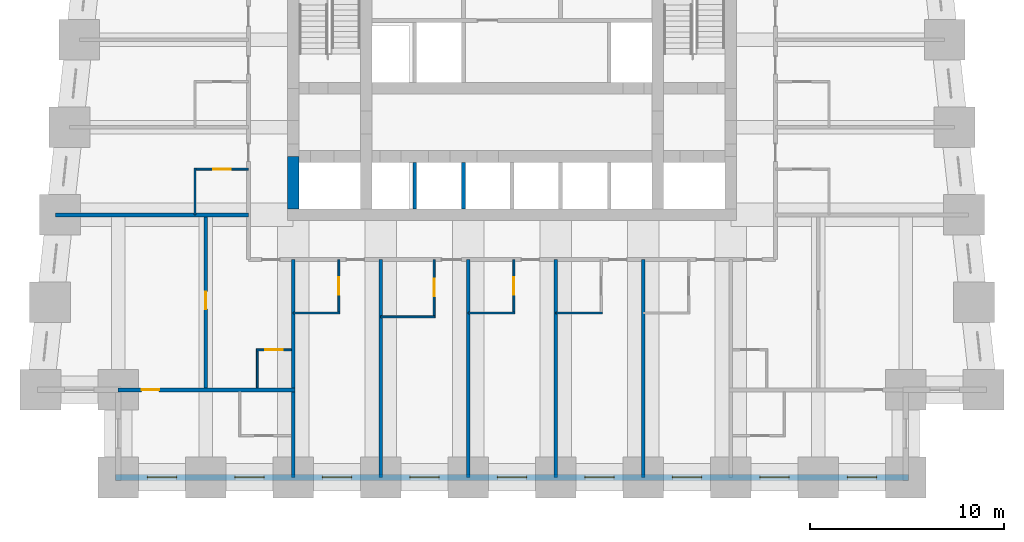
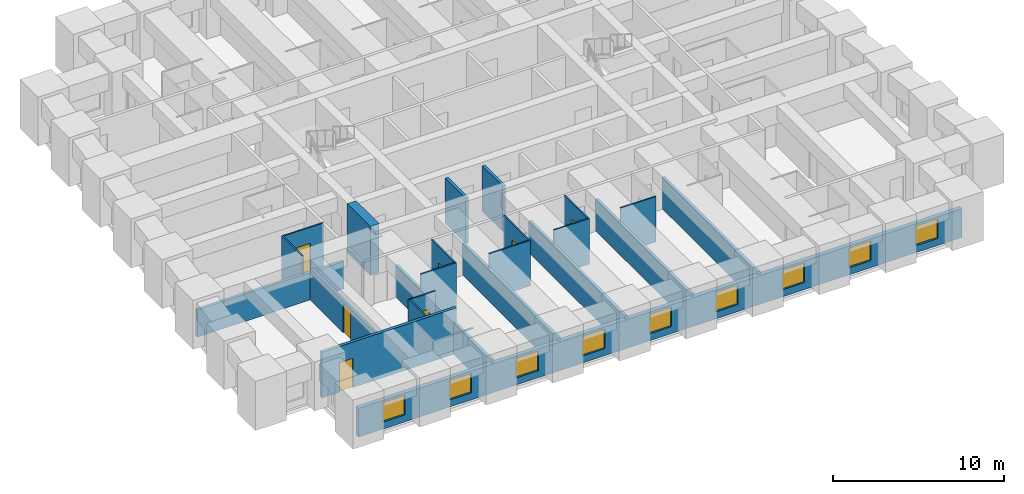
# One storey, part 2 of 8: 23 walls, 9 windows, 7 doors, 16 openings.
"""IFC4 building model written with IfcOpenShell, lengths in metres."""

from ifc_helpers import new_model, si_unit, direction, frame, frame_2d, origin, place, context, subcontext, project, spatial, rectangle, extrude, material, layer, layer_set, type_object, element, fill, save


model = new_model("IFC4")

# Units and contexts
model_context = context("Model", 3, precision=1e-05, world=origin(), true_north=direction((0.0, 1.0)))
body_context = subcontext(model_context, "Body", "Model", "MODEL_VIEW")
ifc_project = project(units=[si_unit("LENGTHUNIT", "METRE"), si_unit("AREAUNIT", "SQUARE_METRE"), si_unit("VOLUMEUNIT", "CUBIC_METRE"), si_unit("PLANEANGLEUNIT", "RADIAN"), si_unit("MASSUNIT", "GRAM", prefix="KILO")], contexts=[model_context])

# Site, building, storey
site_placement = place(None, origin())
site = spatial("IfcSite", under=ifc_project, at=site_placement, CompositionType="ELEMENT")
building_placement = place(site_placement, origin())
building = spatial("IfcBuilding", under=site, at=building_placement, Name="Kilele Tower Hotel", CompositionType="ELEMENT")
storey_placement = place(building_placement, frame((0.0, 0.0, 36.699951171875)))
storey = spatial("IfcBuildingStorey", under=building, at=storey_placement, Name="L07", CompositionType="ELEMENT", Elevation=36.699951171875)

# Wall
ifc_material_1 = material(Name="Moisture-resistant board")
ifc_layer_1 = layer(ifc_material_1, 0.10009765625)
ifc_layer_set_1 = layer_set([ifc_layer_1], Name="Moisture-resistant board")
wall_type_1 = type_object("IfcWallType", Name="Bathroom partition 100", PredefinedType="PLUMBINGWALL", material=ifc_layer_set_1)
wall_1_placement = place(storey_placement, frame((13.5, 8.449951171875, 0.0), z_axis=(0.0, 0.0, 1.0), x_axis=(1.0, 0.0, 0.0)))
element("IfcWall", 1, at=wall_1_placement, inside=storey, type_object=wall_type_1, Name="Bathroom partition 100 L07", PredefinedType="PLUMBINGWALL", context=body_context, shape_type="SweptSolid", body=[
    extrude(rectangle(XDim=2.39990234375, YDim=0.10009765625, at=frame_2d((1.199951171875, 0.0))), origin(), (0.0, 0.0, 1.0), 3.25),
])

# Wall, opening, door
wall_2_placement = place(storey_placement, frame((15.85009765625, 11.199951171875, 0.0), z_axis=(0.0, 0.0, 1.0), x_axis=(0.0, -1.0, 0.0)))
wall_2 = element("IfcWall", 2, at=wall_2_placement, inside=storey, type_object=wall_type_1, Name="Bathroom partition 100 L07", PredefinedType="PLUMBINGWALL", context=body_context, shape_type="SweptSolid", body=[
    extrude(rectangle(XDim=2.800048828125, YDim=0.10009765625, at=frame_2d((1.39990234375, 0.0))), origin(), (0.0, 0.0, 1.0), 3.25),
])
opening_1_placement = place(wall_2_placement, frame((0.89990234375, 0.0, 0.0)))
opening_1 = element("IfcOpeningElement", 3, at=opening_1_placement, cuts=wall_2, Name="Opening D2A", PredefinedType="OPENING", context=body_context, shape_type="SweptSolid", body=[
    extrude(rectangle(XDim=0.89990234375, YDim=2.10009765625, at=frame_2d((0.449951171875, 1.050048828125))), frame((0.0, 0.06005859375, 0.0), z_axis=(0.0, -1.0, 0.0), x_axis=(1.0, 0.0, 0.0)), (0.0, 0.0, 1.0), 0.1201171875),
])
ifc_material_2 = material(Name="Timber door leaf in hardwood frame", Category="wood")
door_type_1 = type_object("IfcDoorType", Name="Bathroom door 900", OperationType="SINGLE_SWING_LEFT", PredefinedType="DOOR", material=ifc_material_2)
door_1_placement = place(opening_1_placement, origin())
door_1 = element("IfcDoor", 4, at=door_1_placement, inside=storey, type_object=door_type_1, Name="Bathroom door 0701B", OperationType="SINGLE_SWING_LEFT", OverallHeight=2.10009765625, OverallWidth=0.89990234375, PredefinedType="DOOR", context=body_context, shape_type="SweptSolid", body=[
    extrude(rectangle(XDim=0.89990234375, YDim=2.10009765625, at=frame_2d((0.449951171875, 1.050048828125))), frame((0.0, 0.02490234375, 0.0), z_axis=(0.0, -1.0, 0.0), x_axis=(1.0, 0.0, 0.0)), (0.0, 0.0, 1.0), 0.050048828125),
])
fill(opening_1, door_1)

# Wall
wall_3_placement = place(storey_placement, frame((18.0, 8.25, 0.0), z_axis=(0.0, 0.0, 1.0), x_axis=(1.0, 0.0, 0.0)))
element("IfcWall", 5, at=wall_3_placement, inside=storey, type_object=wall_type_1, Name="Bathroom partition 100 L07", PredefinedType="PLUMBINGWALL", context=body_context, shape_type="SweptSolid", body=[
    extrude(rectangle(XDim=2.800048828125, YDim=0.10009765625, at=frame_2d((1.39990234375, 0.0))), origin(), (0.0, 0.0, 1.0), 3.25),
])

# Wall, opening, door
wall_4_placement = place(storey_placement, frame((20.75, 11.199951171875, 0.0), z_axis=(0.0, 0.0, 1.0), x_axis=(0.0, -1.0, 0.0)))
wall_4 = element("IfcWall", 6, at=wall_4_placement, inside=storey, type_object=wall_type_1, Name="Bathroom partition 100 L07", PredefinedType="PLUMBINGWALL", context=body_context, shape_type="SweptSolid", body=[
    extrude(rectangle(XDim=3.0, YDim=0.10009765625, at=frame_2d((1.5, 0.0))), origin(), (0.0, 0.0, 1.0), 3.25),
])
opening_2_placement = place(wall_4_placement, frame((1.0, 0.0, 0.0)))
opening_2 = element("IfcOpeningElement", 7, at=opening_2_placement, cuts=wall_4, Name="Opening D2A", PredefinedType="OPENING", context=body_context, shape_type="SweptSolid", body=[
    extrude(rectangle(XDim=0.89990234375, YDim=2.10009765625, at=frame_2d((0.449951171875, 1.050048828125))), frame((0.0, 0.06005859375, 0.0), z_axis=(0.0, -1.0, 0.0), x_axis=(1.0, 0.0, 0.0)), (0.0, 0.0, 1.0), 0.1201171875),
])
door_2_placement = place(opening_2_placement, origin())
door_2 = element("IfcDoor", 8, at=door_2_placement, inside=storey, type_object=door_type_1, Name="Bathroom door 0702B", OperationType="SINGLE_SWING_LEFT", OverallHeight=2.10009765625, OverallWidth=0.89990234375, PredefinedType="DOOR", context=body_context, shape_type="SweptSolid", body=[
    extrude(rectangle(XDim=0.89990234375, YDim=2.10009765625, at=frame_2d((0.449951171875, 1.050048828125))), frame((0.0, 0.02490234375, 0.0), z_axis=(0.0, -1.0, 0.0), x_axis=(1.0, 0.0, 0.0)), (0.0, 0.0, 1.0), 0.050048828125),
])
fill(opening_2, door_2)

# Wall
wall_5_placement = place(storey_placement, frame((22.5, 8.449951171875, 0.0), z_axis=(0.0, 0.0, 1.0), x_axis=(1.0, 0.0, 0.0)))
element("IfcWall", 9, at=wall_5_placement, inside=storey, type_object=wall_type_1, Name="Bathroom partition 100 L07", PredefinedType="PLUMBINGWALL", context=body_context, shape_type="SweptSolid", body=[
    extrude(rectangle(XDim=2.39990234375, YDim=0.10009765625, at=frame_2d((1.199951171875, 0.0))), origin(), (0.0, 0.0, 1.0), 3.25),
])

# Wall, opening, door
wall_6_placement = place(storey_placement, frame((24.85009765625, 11.199951171875, 0.0), z_axis=(0.0, 0.0, 1.0), x_axis=(0.0, -1.0, 0.0)))
wall_6 = element("IfcWall", 10, at=wall_6_placement, inside=storey, type_object=wall_type_1, Name="Bathroom partition 100 L07", PredefinedType="PLUMBINGWALL", context=body_context, shape_type="SweptSolid", body=[
    extrude(rectangle(XDim=2.800048828125, YDim=0.10009765625, at=frame_2d((1.39990234375, 0.0))), origin(), (0.0, 0.0, 1.0), 3.25),
])
opening_3_placement = place(wall_6_placement, frame((0.89990234375, 0.0, 0.0)))
opening_3 = element("IfcOpeningElement", 11, at=opening_3_placement, cuts=wall_6, Name="Opening D2A", PredefinedType="OPENING", context=body_context, shape_type="SweptSolid", body=[
    extrude(rectangle(XDim=0.89990234375, YDim=2.10009765625, at=frame_2d((0.449951171875, 1.050048828125))), frame((0.0, 0.06005859375, 0.0), z_axis=(0.0, -1.0, 0.0), x_axis=(1.0, 0.0, 0.0)), (0.0, 0.0, 1.0), 0.1201171875),
])
door_3_placement = place(opening_3_placement, origin())
door_3 = element("IfcDoor", 12, at=door_3_placement, inside=storey, type_object=door_type_1, Name="Bathroom door 0703B", OperationType="SINGLE_SWING_LEFT", OverallHeight=2.10009765625, OverallWidth=0.89990234375, PredefinedType="DOOR", context=body_context, shape_type="SweptSolid", body=[
    extrude(rectangle(XDim=0.89990234375, YDim=2.10009765625, at=frame_2d((0.449951171875, 1.050048828125))), frame((0.0, 0.02490234375, 0.0), z_axis=(0.0, -1.0, 0.0), x_axis=(1.0, 0.0, 0.0)), (0.0, 0.0, 1.0), 0.050048828125),
])
fill(opening_3, door_3)

# Walls
for number, where, z_axis, x_axis, name in (
    (13, (27.0, 8.449951171875, 0.0), (0.0, 0.0, 1.0), (1.0, 0.0, 0.0), "Bathroom partition 100 L07"),
    (14, (8.449951171875, 13.5, 0.0), (0.0, 0.0, 1.0), (0.0, 1.0, 0.0), "Bathroom partition 100 L07"),
):
    element("IfcWall", number, at=place(storey_placement, frame(where, z_axis=z_axis, x_axis=x_axis)), inside=storey, type_object=wall_type_1, Name=name, PredefinedType="PLUMBINGWALL", context=body_context, shape_type="SweptSolid", body=[
        extrude(rectangle(XDim=2.39990234375, YDim=0.10009765625, at=frame_2d((1.199951171875, 0.0))), origin(), (0.0, 0.0, 1.0), 3.25),
    ])

# Wall, opening, door
wall_7_placement = place(storey_placement, frame((11.199951171875, 15.85009765625, 0.0), z_axis=(0.0, 0.0, 1.0), x_axis=(-1.0, 0.0, 0.0)))
wall_7 = element("IfcWall", 15, at=wall_7_placement, inside=storey, type_object=wall_type_1, Name="Bathroom partition 100 L07", PredefinedType="PLUMBINGWALL", context=body_context, shape_type="SweptSolid", body=[
    extrude(rectangle(XDim=2.800048828125, YDim=0.10009765625, at=frame_2d((1.39990234375, 0.0))), origin(), (0.0, 0.0, 1.0), 3.25),
])
opening_4_placement = place(wall_7_placement, frame((1.7998046875, 0.0, 0.0), z_axis=(0.0, 0.0, 1.0), x_axis=(-1.0, 0.0, 0.0)))
opening_4 = element("IfcOpeningElement", 16, at=opening_4_placement, cuts=wall_7, Name="Opening D2A", PredefinedType="OPENING", context=body_context, shape_type="SweptSolid", body=[
    extrude(rectangle(XDim=0.89990234375, YDim=2.10009765625, at=frame_2d((0.449951171875, 1.050048828125))), frame((0.0, 0.06005859375, 0.0), z_axis=(0.0, -1.0, 0.0), x_axis=(1.0, 0.0, 0.0)), (0.0, 0.0, 1.0), 0.1201171875),
])
door_4_placement = place(opening_4_placement, origin())
door_4 = element("IfcDoor", 17, at=door_4_placement, inside=storey, type_object=door_type_1, Name="Bathroom door 0714B", OperationType="SINGLE_SWING_RIGHT", OverallHeight=2.10009765625, OverallWidth=0.89990234375, PredefinedType="DOOR", context=body_context, shape_type="SweptSolid", body=[
    extrude(rectangle(XDim=0.89990234375, YDim=2.10009765625, at=frame_2d((0.449951171875, 1.050048828125))), frame((0.0, 0.02490234375, 0.0), z_axis=(0.0, -1.0, 0.0), x_axis=(1.0, 0.0, 0.0)), (0.0, 0.0, 1.0), 0.050048828125),
])
fill(opening_4, door_4)

# Wall
wall_8_placement = place(storey_placement, frame((11.64990234375, 4.60009765625, 0.0), z_axis=(0.0, 0.0, 1.0), x_axis=(0.0, 1.0, 0.0)))
element("IfcWall", 18, at=wall_8_placement, inside=storey, type_object=wall_type_1, Name="Bathroom partition 100 L07", PredefinedType="PLUMBINGWALL", context=body_context, shape_type="SweptSolid", body=[
    extrude(rectangle(XDim=2.0, YDim=0.10009765625, at=frame_2d((1.0, 0.0))), origin(), (0.0, 0.0, 1.0), 3.25),
])

# Wall, opening, door
wall_9_placement = place(storey_placement, frame((13.39990234375, 6.550048828125, 0.0), z_axis=(0.0, 0.0, 1.0), x_axis=(-1.0, 0.0, 0.0)))
wall_9 = element("IfcWall", 19, at=wall_9_placement, inside=storey, type_object=wall_type_1, Name="Bathroom partition 100 L07", PredefinedType="PLUMBINGWALL", context=body_context, shape_type="SweptSolid", body=[
    extrude(rectangle(XDim=1.7998046875, YDim=0.10009765625, at=frame_2d((0.89990234375, 0.0))), origin(), (0.0, 0.0, 1.0), 3.25),
])
opening_5_placement = place(wall_9_placement, frame((1.349853515625, 0.0, 0.0), z_axis=(0.0, 0.0, 1.0), x_axis=(-1.0, 0.0, 0.0)))
opening_5 = element("IfcOpeningElement", 20, at=opening_5_placement, cuts=wall_9, Name="Opening D2A", PredefinedType="OPENING", context=body_context, shape_type="SweptSolid", body=[
    extrude(rectangle(XDim=0.89990234375, YDim=2.10009765625, at=frame_2d((0.449951171875, 1.050048828125))), frame((0.0, 0.06005859375, 0.0), z_axis=(0.0, -1.0, 0.0), x_axis=(1.0, 0.0, 0.0)), (0.0, 0.0, 1.0), 0.1201171875),
])
door_5_placement = place(opening_5_placement, origin())
door_5 = element("IfcDoor", 21, at=door_5_placement, inside=storey, type_object=door_type_1, Name="Bathroom door 0717P", OperationType="SINGLE_SWING_RIGHT", OverallHeight=2.10009765625, OverallWidth=0.89990234375, PredefinedType="DOOR", context=body_context, shape_type="SweptSolid", body=[
    extrude(rectangle(XDim=0.89990234375, YDim=2.10009765625, at=frame_2d((0.449951171875, 1.050048828125))), frame((0.0, 0.02490234375, 0.0), z_axis=(0.0, -1.0, 0.0), x_axis=(1.0, 0.0, 0.0)), (0.0, 0.0, 1.0), 0.050048828125),
])
fill(opening_5, door_5)

# Wall
ifc_material_3 = material(Name="Concrete C60/75", Category="concrete")
ifc_layer_2 = layer(ifc_material_3, 0.60009765625)
ifc_layer_set_2 = layer_set([ifc_layer_2], Name="Concrete C60/75")
wall_type_2 = type_object("IfcWallType", Name="Core wall 600 C60/75", PredefinedType="SHEAR", material=ifc_layer_set_2)
wall_10_placement = place(storey_placement, frame((13.5, 16.5, 0.0), z_axis=(0.0, 0.0, 1.0), x_axis=(0.0, -1.0, 0.0)))
element("IfcWall", 22, at=wall_10_placement, inside=storey, type_object=wall_type_2, Name="Core wall W3 L07", PredefinedType="SHEAR", context=body_context, shape_type="SweptSolid", body=[
    extrude(rectangle(XDim=2.699951171875, YDim=0.60009765625, at=frame_2d((1.35009765625, 0.0))), origin(), (0.0, 0.0, 1.0), 3.5),
])

# Wall, opening, door
ifc_material_4 = material(Name="Blockwork, plastered both sides", Category="masonry")
ifc_layer_3 = layer(ifc_material_4, 0.199951171875)
ifc_layer_set_3 = layer_set([ifc_layer_3], Name="Blockwork, plastered both sides")
wall_type_3 = type_object("IfcWallType", Name="Partition wall 200", PredefinedType="PARTITIONING", material=ifc_layer_set_3)
wall_11_placement = place(storey_placement, frame((9.0, 4.60009765625, 0.0), z_axis=(0.0, 0.0, 1.0), x_axis=(0.0, 1.0, 0.0)))
wall_11 = element("IfcWall", 23, at=wall_11_placement, inside=storey, type_object=wall_type_3, Name="Partition wall 200 L07", PredefinedType="PARTITIONING", context=body_context, shape_type="SweptSolid", body=[
    extrude(rectangle(XDim=8.7998046875, YDim=0.199951171875, at=frame_2d((4.39990234375, 0.0))), origin(), (0.0, 0.0, 1.0), 2.25),
])
opening_6_placement = place(wall_11_placement, frame((4.050048828125, 0.0, 0.0)))
opening_6 = element("IfcOpeningElement", 24, at=opening_6_placement, cuts=wall_11, Name="Opening D3", PredefinedType="OPENING", context=body_context, shape_type="SweptSolid", body=[
    extrude(rectangle(XDim=0.89990234375, YDim=2.10009765625, at=frame_2d((0.449951171875, 1.050048828125))), frame((0.0, 0.10986328125, 0.0), z_axis=(0.0, -1.0, 0.0), x_axis=(1.0, 0.0, 0.0)), (0.0, 0.0, 1.0), 0.219970703125),
])
ifc_material_5 = material(Name="Timber door leaf in hardwood frame", Category="wood")
door_type_2 = type_object("IfcDoorType", Name="Suite internal door 900", OperationType="SINGLE_SWING_LEFT", PredefinedType="DOOR", material=ifc_material_5)
door_6_placement = place(opening_6_placement, origin())
door_6 = element("IfcDoor", 25, at=door_6_placement, inside=storey, type_object=door_type_2, Name="Suite door 0718", OperationType="SINGLE_SWING_RIGHT", OverallHeight=2.10009765625, OverallWidth=0.89990234375, PredefinedType="DOOR", context=body_context, shape_type="SweptSolid", body=[
    extrude(rectangle(XDim=0.89990234375, YDim=2.10009765625, at=frame_2d((0.449951171875, 1.050048828125))), frame((0.0, 0.02490234375, 0.0), z_axis=(0.0, -1.0, 0.0), x_axis=(1.0, 0.0, 0.0)), (0.0, 0.0, 1.0), 0.050048828125),
])
fill(opening_6, door_6)

# Walls
ifc_material_6 = material(Name="Blockwork, plastered both sides", Category="masonry")
ifc_layer_4 = layer(ifc_material_6, 0.199951171875)
ifc_layer_set_4 = layer_set([ifc_layer_4], Name="Blockwork, plastered both sides")
wall_type_4 = type_object("IfcWallType", Name="Party wall 200", PredefinedType="PARTITIONING", material=ifc_layer_set_4)
for number, where, z_axis, x_axis, name in (
    (26, (18.0, 11.199951171875, 0.0), (0.0, 0.0, 1.0), (0.0, -1.0, 0.0), "Party wall 200 L07"),
    (27, (22.5, 11.199951171875, 0.0), (0.0, 0.0, 1.0), (0.0, -1.0, 0.0), "Party wall 200 L07"),
    (28, (27.0, 11.199951171875, 0.0), (0.0, 0.0, 1.0), (0.0, -1.0, 0.0), "Party wall 200 L07"),
    (29, (31.5, 11.199951171875, 0.0), (0.0, 0.0, 1.0), (0.0, -1.0, 0.0), "Party wall 200 L07"),
):
    element("IfcWall", number, at=place(storey_placement, frame(where, z_axis=z_axis, x_axis=x_axis)), inside=storey, type_object=wall_type_4, Name=name, PredefinedType="PARTITIONING", context=body_context, shape_type="SweptSolid", body=[
        extrude(rectangle(XDim=11.199951171875, YDim=0.199951171875, at=frame_2d((5.60009765625, 0.0))), origin(), (0.0, 0.0, 1.0), 2.25),
    ])
wall_12_placement = place(storey_placement, frame((11.199951171875, 13.5, 0.0), z_axis=(0.0, 0.0, 1.0), x_axis=(-1.0, 0.0, 0.0)))
element("IfcWall", 30, at=wall_12_placement, inside=storey, type_object=wall_type_4, Name="Party wall 200 L07", PredefinedType="PARTITIONING", context=body_context, shape_type="SweptSolid", body=[
    extrude(rectangle(XDim=9.921142578125, YDim=0.199951171875, at=frame_2d((4.96044921875, 0.0))), origin(), (0.0, 0.0, 1.0), 1.949951171875),
])
wall_13_placement = place(storey_placement, frame((13.5, 11.199951171875, 0.0), z_axis=(0.0, 0.0, 1.0), x_axis=(0.0, -1.0, 0.0)))
element("IfcWall", 31, at=wall_13_placement, inside=storey, type_object=wall_type_4, Name="Party wall 200 L07", PredefinedType="PARTITIONING", context=body_context, shape_type="SweptSolid", body=[
    extrude(rectangle(XDim=11.199951171875, YDim=0.199951171875, at=frame_2d((5.60009765625, 0.0))), origin(), (0.0, 0.0, 1.0), 2.25),
])

# Wall, opening, door
wall_14_placement = place(storey_placement, frame((13.60009765625, 4.5, 0.0), z_axis=(0.0, 0.0, 1.0), x_axis=(-1.0, 0.0, 0.0)))
wall_14 = element("IfcWall", 32, at=wall_14_placement, inside=storey, type_object=wall_type_4, Name="Party wall 200 L07", PredefinedType="PARTITIONING", context=body_context, shape_type="SweptSolid", body=[
    extrude(rectangle(XDim=9.10009765625, YDim=0.199951171875, at=frame_2d((4.550048828125, 0.0))), origin(), (0.0, 0.0, 1.0), 3.25),
])
opening_7_placement = place(wall_14_placement, frame((7.0, 0.0, 0.0)))
opening_7 = element("IfcOpeningElement", 33, at=opening_7_placement, cuts=wall_14, Name="Opening D3", PredefinedType="OPENING", context=body_context, shape_type="SweptSolid", body=[
    extrude(rectangle(XDim=0.89990234375, YDim=2.10009765625, at=frame_2d((0.449951171875, 1.050048828125))), frame((0.0, 0.10986328125, 0.0), z_axis=(0.0, -1.0, 0.0), x_axis=(1.0, 0.0, 0.0)), (0.0, 0.0, 1.0), 0.219970703125),
])
door_7_placement = place(opening_7_placement, origin())
door_7 = element("IfcDoor", 34, at=door_7_placement, inside=storey, type_object=door_type_2, Name="Suite door 0719", OperationType="SINGLE_SWING_RIGHT", OverallHeight=2.10009765625, OverallWidth=0.89990234375, PredefinedType="DOOR", context=body_context, shape_type="SweptSolid", body=[
    extrude(rectangle(XDim=0.89990234375, YDim=2.10009765625, at=frame_2d((0.449951171875, 1.050048828125))), frame((0.0, 0.02490234375, 0.0), z_axis=(0.0, -1.0, 0.0), x_axis=(1.0, 0.0, 0.0)), (0.0, 0.0, 1.0), 0.050048828125),
])
fill(opening_7, door_7)

# Wall, openings, windows
ifc_material_7 = material(Name="Concrete C40/50 precast", Category="concrete")
ifc_layer_5 = layer(ifc_material_7, 0.260009765625, Name="Precast backing", Category="LoadBearing")
ifc_material_8 = material(Name="Reconstituted stone finish", Category="masonry")
ifc_layer_6 = layer(ifc_material_8, 0.0400390625, Name="Face mix", Category="Finish")
ifc_layer_set_5 = layer_set([ifc_layer_5, ifc_layer_6], Name="Precast concrete C40/50, reconstituted stone finish")
wall_type_5 = type_object("IfcWallType", Name="Precast stone facade wall 300", PredefinedType="STANDARD", material=ifc_layer_set_5)
wall_15_placement = place(storey_placement, frame((4.35009765625, 0.0, 0.0), z_axis=(0.0, 0.0, 1.0), x_axis=(1.0, 0.0, 0.0)))
wall_15 = element("IfcWall", 35, at=wall_15_placement, inside=storey, type_object=wall_type_5, Name="Facade wall L07 edge 3", PredefinedType="STANDARD", context=body_context, shape_type="SweptSolid", body=[
    extrude(rectangle(XDim=40.7998046875, YDim=0.300048828125, at=frame_2d((20.39990234375, 0.0))), origin(), (0.0, 0.0, 1.0), 2.050048828125),
])
opening_8_placement = place(wall_15_placement, frame((1.64990234375, 0.0, 0.5)))
opening_8 = element("IfcOpeningElement", 36, at=opening_8_placement, cuts=wall_15, Name="Opening W1", PredefinedType="OPENING", context=body_context, shape_type="SweptSolid", body=[
    extrude(rectangle(XDim=1.5, YDim=1.39990234375, at=frame_2d((0.75, 0.699951171875))), frame((0.0, 0.159912109375, 0.0), z_axis=(0.0, -1.0, 0.0), x_axis=(1.0, 0.0, 0.0)), (0.0, 0.0, 1.0), 0.320068359375),
])
opening_9_placement = place(wall_15_placement, frame((6.14990234375, 0.0, 0.5)))
opening_9 = element("IfcOpeningElement", 37, at=opening_9_placement, cuts=wall_15, Name="Opening W1", PredefinedType="OPENING", context=body_context, shape_type="SweptSolid", body=[
    extrude(rectangle(XDim=1.5, YDim=1.39990234375, at=frame_2d((0.75, 0.699951171875))), frame((0.0, 0.159912109375, 0.0), z_axis=(0.0, -1.0, 0.0), x_axis=(1.0, 0.0, 0.0)), (0.0, 0.0, 1.0), 0.320068359375),
])
opening_10_placement = place(wall_15_placement, frame((10.64990234375, 0.0, 0.5)))
opening_10 = element("IfcOpeningElement", 38, at=opening_10_placement, cuts=wall_15, Name="Opening W1", PredefinedType="OPENING", context=body_context, shape_type="SweptSolid", body=[
    extrude(rectangle(XDim=1.5, YDim=1.39990234375, at=frame_2d((0.75, 0.699951171875))), frame((0.0, 0.159912109375, 0.0), z_axis=(0.0, -1.0, 0.0), x_axis=(1.0, 0.0, 0.0)), (0.0, 0.0, 1.0), 0.320068359375),
])
opening_11_placement = place(wall_15_placement, frame((15.14990234375, 0.0, 0.5)))
opening_11 = element("IfcOpeningElement", 39, at=opening_11_placement, cuts=wall_15, Name="Opening W1", PredefinedType="OPENING", context=body_context, shape_type="SweptSolid", body=[
    extrude(rectangle(XDim=1.5, YDim=1.39990234375, at=frame_2d((0.75, 0.699951171875))), frame((0.0, 0.159912109375, 0.0), z_axis=(0.0, -1.0, 0.0), x_axis=(1.0, 0.0, 0.0)), (0.0, 0.0, 1.0), 0.320068359375),
])
opening_12_placement = place(wall_15_placement, frame((19.64990234375, 0.0, 0.5)))
opening_12 = element("IfcOpeningElement", 40, at=opening_12_placement, cuts=wall_15, Name="Opening W1", PredefinedType="OPENING", context=body_context, shape_type="SweptSolid", body=[
    extrude(rectangle(XDim=1.5, YDim=1.39990234375, at=frame_2d((0.75, 0.699951171875))), frame((0.0, 0.159912109375, 0.0), z_axis=(0.0, -1.0, 0.0), x_axis=(1.0, 0.0, 0.0)), (0.0, 0.0, 1.0), 0.320068359375),
])
opening_13_placement = place(wall_15_placement, frame((24.14990234375, 0.0, 0.5)))
opening_13 = element("IfcOpeningElement", 41, at=opening_13_placement, cuts=wall_15, Name="Opening W1", PredefinedType="OPENING", context=body_context, shape_type="SweptSolid", body=[
    extrude(rectangle(XDim=1.5, YDim=1.39990234375, at=frame_2d((0.75, 0.699951171875))), frame((0.0, 0.159912109375, 0.0), z_axis=(0.0, -1.0, 0.0), x_axis=(1.0, 0.0, 0.0)), (0.0, 0.0, 1.0), 0.320068359375),
])
opening_14_placement = place(wall_15_placement, frame((28.64990234375, 0.0, 0.5)))
opening_14 = element("IfcOpeningElement", 42, at=opening_14_placement, cuts=wall_15, Name="Opening W1", PredefinedType="OPENING", context=body_context, shape_type="SweptSolid", body=[
    extrude(rectangle(XDim=1.5, YDim=1.39990234375, at=frame_2d((0.75, 0.699951171875))), frame((0.0, 0.159912109375, 0.0), z_axis=(0.0, -1.0, 0.0), x_axis=(1.0, 0.0, 0.0)), (0.0, 0.0, 1.0), 0.320068359375),
])
opening_15_placement = place(wall_15_placement, frame((33.14990234375, 0.0, 0.5)))
opening_15 = element("IfcOpeningElement", 43, at=opening_15_placement, cuts=wall_15, Name="Opening W1", PredefinedType="OPENING", context=body_context, shape_type="SweptSolid", body=[
    extrude(rectangle(XDim=1.5, YDim=1.39990234375, at=frame_2d((0.75, 0.699951171875))), frame((0.0, 0.159912109375, 0.0), z_axis=(0.0, -1.0, 0.0), x_axis=(1.0, 0.0, 0.0)), (0.0, 0.0, 1.0), 0.320068359375),
])
opening_16_placement = place(wall_15_placement, frame((37.64990234375, 0.0, 0.5)))
opening_16 = element("IfcOpeningElement", 44, at=opening_16_placement, cuts=wall_15, Name="Opening W1", PredefinedType="OPENING", context=body_context, shape_type="SweptSolid", body=[
    extrude(rectangle(XDim=1.5, YDim=1.39990234375, at=frame_2d((0.75, 0.699951171875))), frame((0.0, 0.159912109375, 0.0), z_axis=(0.0, -1.0, 0.0), x_axis=(1.0, 0.0, 0.0)), (0.0, 0.0, 1.0), 0.320068359375),
])
ifc_material_9 = material(Name="Aluminium frame, clear double glazing", Category="aluminium")
window_type = type_object("IfcWindowType", Name="Window W1 1500 x 1400", PartitioningType="SINGLE_PANEL", PredefinedType="WINDOW", material=ifc_material_9)
window_1_placement = place(opening_8_placement, origin())
window_1 = element("IfcWindow", 45, at=window_1_placement, inside=storey, type_object=window_type, Name="Window L07", OverallHeight=1.39990234375, OverallWidth=1.5, PartitioningType="SINGLE_PANEL", PredefinedType="WINDOW", context=body_context, shape_type="SweptSolid", body=[
    extrude(rectangle(XDim=1.5, YDim=1.39990234375, at=frame_2d((0.75, 0.699951171875))), frame((0.0, 0.030029296875, 0.0), z_axis=(0.0, -1.0, 0.0), x_axis=(1.0, 0.0, 0.0)), (0.0, 0.0, 1.0), 0.06005859375),
])
fill(opening_8, window_1)
window_2_placement = place(opening_9_placement, origin())
window_2 = element("IfcWindow", 46, at=window_2_placement, inside=storey, type_object=window_type, Name="Window L07", OverallHeight=1.39990234375, OverallWidth=1.5, PartitioningType="SINGLE_PANEL", PredefinedType="WINDOW", context=body_context, shape_type="SweptSolid", body=[
    extrude(rectangle(XDim=1.5, YDim=1.39990234375, at=frame_2d((0.75, 0.699951171875))), frame((0.0, 0.030029296875, 0.0), z_axis=(0.0, -1.0, 0.0), x_axis=(1.0, 0.0, 0.0)), (0.0, 0.0, 1.0), 0.06005859375),
])
fill(opening_9, window_2)
window_3_placement = place(opening_10_placement, origin())
window_3 = element("IfcWindow", 47, at=window_3_placement, inside=storey, type_object=window_type, Name="Window L07", OverallHeight=1.39990234375, OverallWidth=1.5, PartitioningType="SINGLE_PANEL", PredefinedType="WINDOW", context=body_context, shape_type="SweptSolid", body=[
    extrude(rectangle(XDim=1.5, YDim=1.39990234375, at=frame_2d((0.75, 0.699951171875))), frame((0.0, 0.030029296875, 0.0), z_axis=(0.0, -1.0, 0.0), x_axis=(1.0, 0.0, 0.0)), (0.0, 0.0, 1.0), 0.06005859375),
])
fill(opening_10, window_3)
window_4_placement = place(opening_11_placement, origin())
window_4 = element("IfcWindow", 48, at=window_4_placement, inside=storey, type_object=window_type, Name="Window L07", OverallHeight=1.39990234375, OverallWidth=1.5, PartitioningType="SINGLE_PANEL", PredefinedType="WINDOW", context=body_context, shape_type="SweptSolid", body=[
    extrude(rectangle(XDim=1.5, YDim=1.39990234375, at=frame_2d((0.75, 0.699951171875))), frame((0.0, 0.030029296875, 0.0), z_axis=(0.0, -1.0, 0.0), x_axis=(1.0, 0.0, 0.0)), (0.0, 0.0, 1.0), 0.06005859375),
])
fill(opening_11, window_4)
window_5_placement = place(opening_12_placement, origin())
window_5 = element("IfcWindow", 49, at=window_5_placement, inside=storey, type_object=window_type, Name="Window L07", OverallHeight=1.39990234375, OverallWidth=1.5, PartitioningType="SINGLE_PANEL", PredefinedType="WINDOW", context=body_context, shape_type="SweptSolid", body=[
    extrude(rectangle(XDim=1.5, YDim=1.39990234375, at=frame_2d((0.75, 0.699951171875))), frame((0.0, 0.030029296875, 0.0), z_axis=(0.0, -1.0, 0.0), x_axis=(1.0, 0.0, 0.0)), (0.0, 0.0, 1.0), 0.06005859375),
])
fill(opening_12, window_5)
window_6_placement = place(opening_13_placement, origin())
window_6 = element("IfcWindow", 50, at=window_6_placement, inside=storey, type_object=window_type, Name="Window L07", OverallHeight=1.39990234375, OverallWidth=1.5, PartitioningType="SINGLE_PANEL", PredefinedType="WINDOW", context=body_context, shape_type="SweptSolid", body=[
    extrude(rectangle(XDim=1.5, YDim=1.39990234375, at=frame_2d((0.75, 0.699951171875))), frame((0.0, 0.030029296875, 0.0), z_axis=(0.0, -1.0, 0.0), x_axis=(1.0, 0.0, 0.0)), (0.0, 0.0, 1.0), 0.06005859375),
])
fill(opening_13, window_6)
window_7_placement = place(opening_14_placement, origin())
window_7 = element("IfcWindow", 51, at=window_7_placement, inside=storey, type_object=window_type, Name="Window L07", OverallHeight=1.39990234375, OverallWidth=1.5, PartitioningType="SINGLE_PANEL", PredefinedType="WINDOW", context=body_context, shape_type="SweptSolid", body=[
    extrude(rectangle(XDim=1.5, YDim=1.39990234375, at=frame_2d((0.75, 0.699951171875))), frame((0.0, 0.030029296875, 0.0), z_axis=(0.0, -1.0, 0.0), x_axis=(1.0, 0.0, 0.0)), (0.0, 0.0, 1.0), 0.06005859375),
])
fill(opening_14, window_7)
window_8_placement = place(opening_15_placement, origin())
window_8 = element("IfcWindow", 52, at=window_8_placement, inside=storey, type_object=window_type, Name="Window L07", OverallHeight=1.39990234375, OverallWidth=1.5, PartitioningType="SINGLE_PANEL", PredefinedType="WINDOW", context=body_context, shape_type="SweptSolid", body=[
    extrude(rectangle(XDim=1.5, YDim=1.39990234375, at=frame_2d((0.75, 0.699951171875))), frame((0.0, 0.030029296875, 0.0), z_axis=(0.0, -1.0, 0.0), x_axis=(1.0, 0.0, 0.0)), (0.0, 0.0, 1.0), 0.06005859375),
])
fill(opening_15, window_8)
window_9_placement = place(opening_16_placement, origin())
window_9 = element("IfcWindow", 53, at=window_9_placement, inside=storey, type_object=window_type, Name="Window L07", OverallHeight=1.39990234375, OverallWidth=1.5, PartitioningType="SINGLE_PANEL", PredefinedType="WINDOW", context=body_context, shape_type="SweptSolid", body=[
    extrude(rectangle(XDim=1.5, YDim=1.39990234375, at=frame_2d((0.75, 0.699951171875))), frame((0.0, 0.030029296875, 0.0), z_axis=(0.0, -1.0, 0.0), x_axis=(1.0, 0.0, 0.0)), (0.0, 0.0, 1.0), 0.06005859375),
])
fill(opening_16, window_9)

# Walls
ifc_material_10 = material(Name="Blockwork, fire-rated", Category="masonry")
ifc_layer_7 = layer(ifc_material_10, 0.199951171875)
ifc_layer_set_6 = layer_set([ifc_layer_7], Name="Blockwork, fire-rated")
wall_type_6 = type_object("IfcWallType", Name="Shaft wall 200", PredefinedType="PARTITIONING", material=ifc_layer_set_6)
for number, where, z_axis, x_axis, name in (
    (54, (19.75, 13.800048828125, 0.0), (0.0, 0.0, 1.0), (0.0, 1.0, 0.0), "Shaft wall 200 L07"),
    (55, (22.25, 13.800048828125, 0.0), (0.0, 0.0, 1.0), (0.0, 1.0, 0.0), "Shaft wall 200 L07"),
):
    element("IfcWall", number, at=place(storey_placement, frame(where, z_axis=z_axis, x_axis=x_axis)), inside=storey, type_object=wall_type_6, Name=name, PredefinedType="PARTITIONING", context=body_context, shape_type="SweptSolid", body=[
        extrude(rectangle(XDim=2.39990234375, YDim=0.199951171875, at=frame_2d((1.199951171875, 0.0))), origin(), (0.0, 0.0, 1.0), 3.25),
    ])

save(model, "model.ifc")
